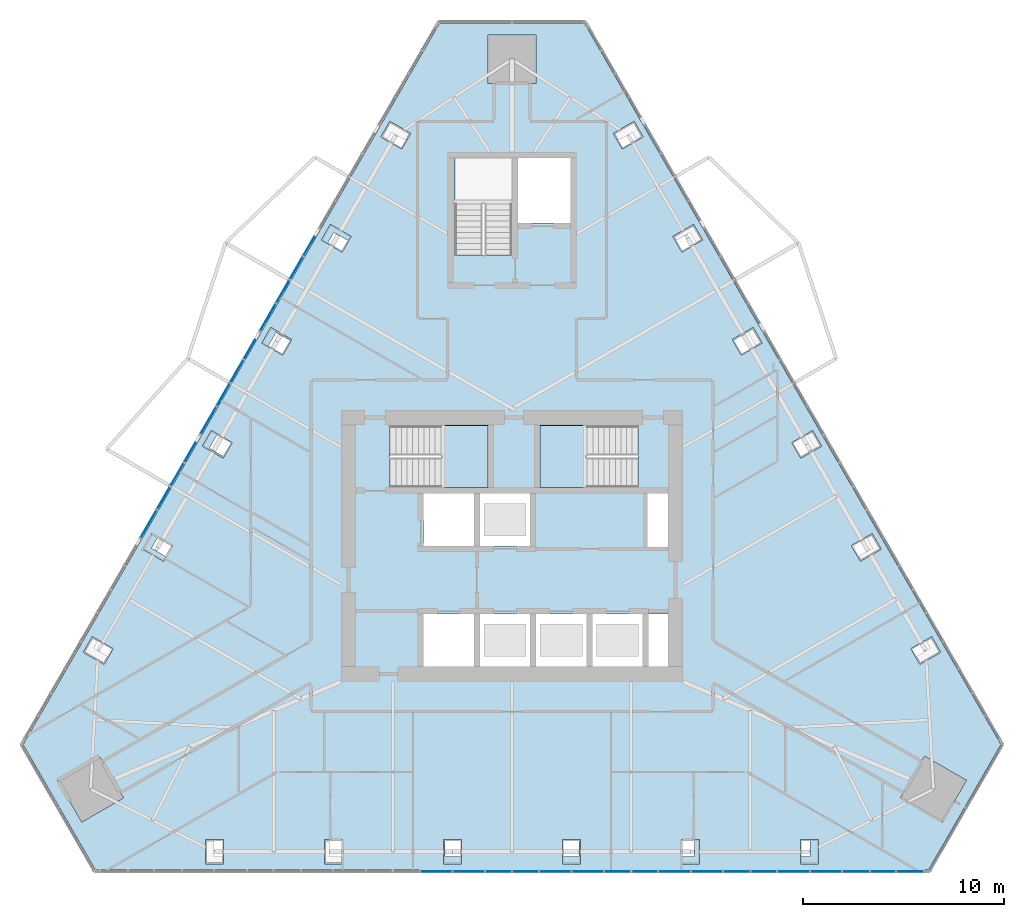
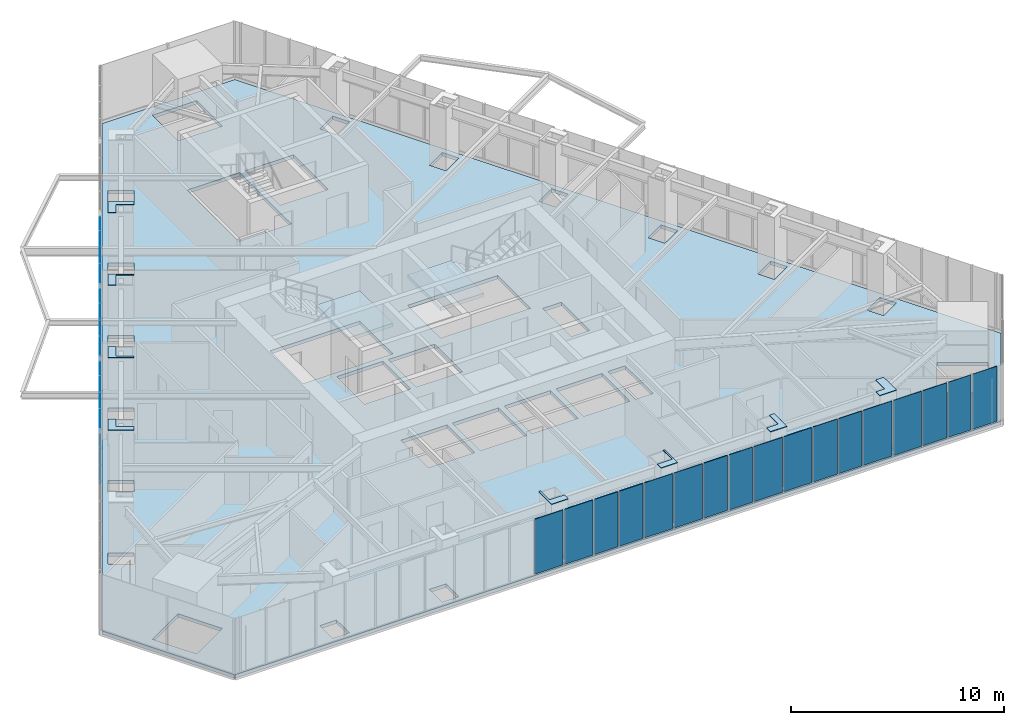
# One storey, part 11 of 19: 37 plates, 3 slabs, 4 elements without a shape of their own.
"""IFC4 building model written with IfcOpenShell, lengths in metres."""

from ifc_helpers import new_model, si_unit, direction, frame, origin, place, context, subcontext, project, spatial, polyline, outline, extrude, material, layer, layer_set, type_object, element, aggregate, save


model = new_model("IFC4")

# Units and contexts
model_context = context("Model", 3, precision=1e-05, world=origin(), true_north=direction((0.0, 1.0)))
body_context = subcontext(model_context, "Body", "Model", "MODEL_VIEW")
ifc_project = project(units=[si_unit("LENGTHUNIT", "METRE"), si_unit("AREAUNIT", "SQUARE_METRE"), si_unit("VOLUMEUNIT", "CUBIC_METRE"), si_unit("PLANEANGLEUNIT", "RADIAN"), si_unit("MASSUNIT", "GRAM", prefix="KILO")], contexts=[model_context])

# Site, building, storey
site_placement = place(None, origin())
site = spatial("IfcSite", under=ifc_project, at=site_placement, CompositionType="ELEMENT")
building_placement = place(site_placement, origin())
building = spatial("IfcBuilding", under=site, at=building_placement, Name="Firuza Gate Tower and Library", CompositionType="ELEMENT")
storey_placement = place(building_placement, frame((0.0, 0.0, 316.10009765625)))
storey = spatial("IfcBuildingStorey", under=building, at=storey_placement, Name="L77", CompositionType="ELEMENT", Elevation=316.10009765625)

# Plates
ifc_material_1 = material(Name="Steel S355", Category="steel")
ifc_layer_1 = layer(ifc_material_1, 0.030029296875)
ifc_layer_set_1 = layer_set([ifc_layer_1], Name="Column infill plate 30 Steel S355")
plate_type_1 = type_object("IfcPlateType", Name="Column infill plate 30 Steel S355", PredefinedType="SHEET", material=ifc_layer_set_1)
placement_1 = place(storey_placement, frame((0.0, 0.0, 3.5)))
element("IfcPlate", 1, at=placement_1, inside=storey, type_object=plate_type_1, Name="Infill plate L77:S3", PredefinedType="SHEET", context=body_context, shape_type="SweptSolid", body=[
    extrude(outline(polyline([(72.489990234375, 59.180419921875), (72.489990234375, 59.5361328125), (71.677978515625, 59.5361328125), (71.677978515625, 60.38037109375), (71.590087890625, 60.38037109375), (71.590087890625, 59.180419921875), (72.489990234375, 59.180419921875)])), origin(), (0.0, 0.0, 1.0), 0.02978515625),
])
element("IfcPlate", 2, at=placement_1, inside=storey, type_object=plate_type_1, Name="Infill plate L77:S4", PredefinedType="SHEET", context=body_context, shape_type="SweptSolid", body=[
    extrude(outline(polyline([(78.409912109375, 60.38037109375), (78.322021484375, 60.38037109375), (78.322021484375, 59.5361328125), (77.510009765625, 59.5361328125), (77.510009765625, 59.180419921875), (78.409912109375, 59.180419921875), (78.409912109375, 60.38037109375)])), origin(), (0.0, 0.0, 1.0), 0.02978515625),
])
element("IfcPlate", 3, at=placement_1, inside=storey, type_object=plate_type_1, Name="Infill plate L77:S5", PredefinedType="SHEET", context=body_context, shape_type="SweptSolid", body=[
    extrude(outline(polyline([(84.330078125, 60.38037109375), (84.06591796875, 60.38037109375), (84.06591796875, 59.5361328125), (83.429931640625, 59.5361328125), (83.429931640625, 59.180419921875), (84.330078125, 59.180419921875), (84.330078125, 60.38037109375)])), origin(), (0.0, 0.0, 1.0), 0.02978515625),
])
element("IfcPlate", 4, at=placement_1, inside=storey, type_object=plate_type_1, Name="Infill plate L77:S6", PredefinedType="SHEET", context=body_context, shape_type="SweptSolid", body=[
    extrude(outline(polyline([(90.25, 60.38037109375), (89.81005859375, 60.38037109375), (89.81005859375, 59.5361328125), (89.35009765625, 59.5361328125), (89.35009765625, 59.180419921875), (90.25, 59.180419921875), (90.25, 60.38037109375)])), origin(), (0.0, 0.0, 1.0), 0.02978515625),
])
element("IfcPlate", 5, at=placement_1, inside=storey, type_object=plate_type_1, Name="Infill plate L77:W2", PredefinedType="SHEET", context=body_context, shape_type="SweptSolid", body=[
    extrude(outline(polyline([(65.514892578125, 90.21044921875), (65.82275390625, 90.032470703125), (66.140869140625, 90.583251953125), (66.8720703125, 90.1611328125), (67.004150390625, 90.389892578125), (65.96484375, 90.98974609375), (65.514892578125, 90.21044921875)])), origin(), (0.0, 0.0, 1.0), 0.02978515625),
])
element("IfcPlate", 6, at=placement_1, inside=storey, type_object=plate_type_1, Name="Infill plate L77:W3", PredefinedType="SHEET", context=body_context, shape_type="SweptSolid", body=[
    extrude(outline(polyline([(62.5546875, 85.08349609375), (62.86279296875, 84.90576171875), (63.268798828125, 85.60888671875), (64.0, 85.186767578125), (64.0439453125, 85.262939453125), (63.0048828125, 85.863037109375), (62.5546875, 85.08349609375)])), origin(), (0.0, 0.0, 1.0), 0.02978515625),
])
element("IfcPlate", 7, at=placement_1, inside=storey, type_object=plate_type_1, Name="Infill plate L77:W4", PredefinedType="SHEET", context=body_context, shape_type="SweptSolid", body=[
    extrude(outline(polyline([(60.634033203125, 79.356689453125), (60.677978515625, 79.432861328125), (59.94677734375, 79.85498046875), (60.352783203125, 80.558349609375), (60.044921875, 80.736083984375), (59.5947265625, 79.95654296875), (60.634033203125, 79.356689453125)])), origin(), (0.0, 0.0, 1.0), 0.02978515625),
])
element("IfcPlate", 8, at=placement_1, inside=storey, type_object=plate_type_1, Name="Infill plate L77:W5", PredefinedType="SHEET", context=body_context, shape_type="SweptSolid", body=[
    extrude(outline(polyline([(57.674072265625, 74.229736328125), (57.80615234375, 74.45849609375), (57.07470703125, 74.880615234375), (57.392822265625, 75.431396484375), (57.084716796875, 75.609130859375), (56.634765625, 74.829833984375), (57.674072265625, 74.229736328125)])), origin(), (0.0, 0.0, 1.0), 0.02978515625),
])

# Slab
ifc_material_2 = material(Name="Concrete C40/50", Category="concrete")
ifc_layer_2 = layer(ifc_material_2, 0.199951171875)
ifc_layer_set_2 = layer_set([ifc_layer_2], Name="Composite floor slab 200 C40/50")
slab_type_1 = type_object("IfcSlabType", Name="Composite floor slab 200 C40/50", PredefinedType="FLOOR", material=ifc_layer_set_2)
slab_1_placement = place(storey_placement, frame((0.0, 0.0, -0.2001953125)))
element("IfcSlab", 9, at=slab_1_placement, inside=storey, type_object=slab_type_1, Name="Floor slab L77", PredefinedType="FLOOR", context=body_context, shape_type="SweptSolid", body=[
    extrude(outline(polyline([(50.679931640625, 65.11572265625), (54.280029296875, 58.88037109375), (95.719970703125, 58.88037109375), (99.320068359375, 65.11572265625), (78.60009765625, 101.00390625), (71.39990234375, 101.00390625), (50.679931640625, 65.11572265625)]), holes=[polyline([(59.75, 59.180419921875), (59.75, 60.38037109375), (60.64990234375, 60.38037109375), (60.64990234375, 59.180419921875), (59.75, 59.180419921875)]), polyline([(65.669921875, 59.180419921875), (65.669921875, 60.38037109375), (66.570068359375, 60.38037109375), (66.570068359375, 59.180419921875), (65.669921875, 59.180419921875)]), polyline([(71.590087890625, 59.180419921875), (71.590087890625, 60.38037109375), (72.489990234375, 60.38037109375), (72.489990234375, 59.180419921875), (71.590087890625, 59.180419921875)]), polyline([(52.399658203125, 63.33740234375), (54.47802734375, 64.537353515625), (55.677978515625, 62.458740234375), (53.599609375, 61.2587890625), (52.399658203125, 63.33740234375)]), polyline([(54.124755859375, 70.482421875), (55.1640625, 69.88232421875), (54.714111328125, 69.10302734375), (53.6748046875, 69.702880859375), (54.124755859375, 70.482421875)]), polyline([(73.10009765625, 69.0), (70.60009765625, 69.0), (70.60009765625, 71.60009765625), (73.10009765625, 71.60009765625), (73.10009765625, 69.0)]), polyline([(75.89990234375, 69.0), (73.39990234375, 69.0), (73.39990234375, 71.60009765625), (75.89990234375, 71.60009765625), (75.89990234375, 69.0)]), polyline([(57.084716796875, 75.609130859375), (58.1240234375, 75.00927734375), (57.674072265625, 74.229736328125), (56.634765625, 74.829833984375), (57.084716796875, 75.609130859375)]), polyline([(73.10009765625, 75.0), (70.60009765625, 75.0), (70.60009765625, 77.60009765625), (73.10009765625, 77.60009765625), (73.10009765625, 75.0)]), polyline([(75.89990234375, 75.0), (73.39990234375, 75.0), (73.39990234375, 77.60009765625), (75.89990234375, 77.60009765625), (75.89990234375, 75.0)]), polyline([(68.9404296875, 77.89990234375), (68.9404296875, 80.97998046875), (73.81005859375, 80.97998046875), (73.81005859375, 77.89990234375), (68.9404296875, 77.89990234375)]), polyline([(60.044921875, 80.736083984375), (61.083984375, 80.135986328125), (60.634033203125, 79.356689453125), (59.5947265625, 79.95654296875), (60.044921875, 80.736083984375)]), polyline([(63.0048828125, 85.863037109375), (64.0439453125, 85.262939453125), (63.593994140625, 84.483642578125), (62.5546875, 85.08349609375), (63.0048828125, 85.863037109375)]), polyline([(65.96484375, 90.98974609375), (67.004150390625, 90.389892578125), (66.553955078125, 89.6103515625), (65.514892578125, 90.21044921875), (65.96484375, 90.98974609375)]), polyline([(72.159912109375, 89.470458984375), (72.159912109375, 94.300048828125), (75.0, 94.300048828125), (75.0, 89.470458984375), (72.159912109375, 89.470458984375)]), polyline([(68.9248046875, 96.11669921875), (69.964111328125, 95.5166015625), (69.513916015625, 94.7373046875), (68.474853515625, 95.337158203125), (68.9248046875, 96.11669921875)]), polyline([(76.199951171875, 100.40380859375), (76.199951171875, 98.00390625), (73.800048828125, 98.00390625), (73.800048828125, 100.40380859375), (76.199951171875, 100.40380859375)]), polyline([(77.510009765625, 59.180419921875), (77.510009765625, 60.38037109375), (78.409912109375, 60.38037109375), (78.409912109375, 59.180419921875), (77.510009765625, 59.180419921875)]), polyline([(83.429931640625, 59.180419921875), (83.429931640625, 60.38037109375), (84.330078125, 60.38037109375), (84.330078125, 59.180419921875), (83.429931640625, 59.180419921875)]), polyline([(89.35009765625, 59.180419921875), (89.35009765625, 60.38037109375), (90.25, 60.38037109375), (90.25, 59.180419921875), (89.35009765625, 59.180419921875)]), polyline([(96.400390625, 61.2587890625), (94.322021484375, 62.458740234375), (95.52197265625, 64.537353515625), (97.600341796875, 63.33740234375), (96.400390625, 61.2587890625)]), polyline([(96.3251953125, 69.702880859375), (95.285888671875, 69.10302734375), (94.8359375, 69.88232421875), (95.875244140625, 70.482421875), (96.3251953125, 69.702880859375)]), polyline([(78.699951171875, 69.0), (76.199951171875, 69.0), (76.199951171875, 71.60009765625), (78.699951171875, 71.60009765625), (78.699951171875, 69.0)]), polyline([(81.5, 69.0), (79.0, 69.0), (79.0, 71.60009765625), (81.5, 71.60009765625), (81.5, 69.0)]), polyline([(82.75, 69.0), (81.800048828125, 69.0), (81.800048828125, 71.60009765625), (82.75, 71.60009765625), (82.75, 69.0)]), polyline([(93.365234375, 74.829833984375), (92.325927734375, 74.229736328125), (91.8759765625, 75.00927734375), (92.915283203125, 75.609130859375), (93.365234375, 74.829833984375)]), polyline([(82.75, 74.949951171875), (81.75, 74.949951171875), (81.75, 77.60009765625), (82.75, 77.60009765625), (82.75, 74.949951171875)]), polyline([(81.259521484375, 80.97998046875), (81.259521484375, 77.89990234375), (76.389892578125, 77.89990234375), (76.389892578125, 80.97998046875), (81.259521484375, 80.97998046875)]), polyline([(90.4052734375, 79.95654296875), (89.365966796875, 79.356689453125), (88.916015625, 80.135986328125), (89.955078125, 80.736083984375), (90.4052734375, 79.95654296875)]), polyline([(87.4453125, 85.08349609375), (86.406005859375, 84.483642578125), (85.9560546875, 85.262939453125), (86.9951171875, 85.863037109375), (87.4453125, 85.08349609375)]), polyline([(84.485107421875, 90.21044921875), (83.446044921875, 89.6103515625), (82.995849609375, 90.389892578125), (84.03515625, 90.98974609375), (84.485107421875, 90.21044921875)]), polyline([(75.300048828125, 91.050048828125), (75.300048828125, 94.300048828125), (77.89990234375, 94.300048828125), (77.89990234375, 91.050048828125), (75.300048828125, 91.050048828125)]), polyline([(80.486083984375, 94.7373046875), (80.035888671875, 95.5166015625), (81.0751953125, 96.11669921875), (81.525146484375, 95.337158203125), (80.486083984375, 94.7373046875)])]), origin(), (0.0, 0.0, 1.0), 0.2001953125),
])

# Curtain wall, plates
ifc_material_3 = material(Name="Aluminium 6063-T6", Category="aluminium")
ifc_layer_3 = layer(ifc_material_3, 0.14990234375)
ifc_layer_set_3 = layer_set([ifc_layer_3], Name="Unitised curtain wall, residences")
curtain_wall_type = type_object("IfcCurtainWallType", Name="Unitised curtain wall, residences", PredefinedType="NOTDEFINED", material=ifc_layer_set_3)
placement_2 = place(storey_placement, origin())
curtain_wall_1 = element("IfcCurtainWall", 10, at=placement_2, inside=storey, type_object=curtain_wall_type, Name="CW3 L77 S face", PredefinedType="NOTDEFINED")
ifc_material_4 = material(Name="Fritted glass", Category="glass")
ifc_layer_4 = layer(ifc_material_4, 0.030029296875)
ifc_layer_set_4 = layer_set([ifc_layer_4], Name="Fritted glass unit, residences")
plate_type_2 = type_object("IfcPlateType", Name="Fritted glass unit, residences", PredefinedType="CURTAIN_PANEL", material=ifc_layer_set_4)
plate_9_placement = place(storey_placement, frame((70.468994140625, 58.790283203125, 0.14990234375), z_axis=(0.0, -1.0, 0.0), x_axis=(1.0, 0.0, 0.0)))
plate_9 = element("IfcPlate", 11, at=plate_9_placement, type_object=plate_type_2, Name="Glass unit", PredefinedType="CURTAIN_PANEL", context=body_context, shape_type="SweptSolid", body=[
    extrude(outline(polyline([(0.0, 0.0), (1.52490234375, 0.0), (1.52490234375, 3.14990234375), (0.0, 3.14990234375), (0.0, 0.0)])), origin(), (0.0, 0.0, -1.0), 0.030029296875),
])
plate_10_placement = place(storey_placement, frame((72.07373046875, 58.790283203125, 0.14990234375), z_axis=(0.0, -1.0, 0.0), x_axis=(1.0, 0.0, 0.0)))
plate_10 = element("IfcPlate", 12, at=plate_10_placement, type_object=plate_type_2, Name="Glass unit", PredefinedType="CURTAIN_PANEL", context=body_context, shape_type="SweptSolid", body=[
    extrude(outline(polyline([(0.0, 0.0), (1.537353515625, 0.0), (1.537353515625, 3.14990234375), (0.0, 3.14990234375), (0.0, 0.0)])), origin(), (0.0, 0.0, -1.0), 0.030029296875),
])
plate_11_placement = place(storey_placement, frame((76.388916015625, 58.790283203125, 0.14990234375), z_axis=(0.0, -1.0, 0.0), x_axis=(1.0, 0.0, 0.0)))
plate_11 = element("IfcPlate", 13, at=plate_11_placement, type_object=plate_type_2, Name="Glass unit", PredefinedType="CURTAIN_PANEL", context=body_context, shape_type="SweptSolid", body=[
    extrude(outline(polyline([(0.0, 0.0), (1.537353515625, 0.0), (1.537353515625, 3.14990234375), (0.0, 3.14990234375), (0.0, 0.0)])), origin(), (0.0, 0.0, -1.0), 0.030029296875),
])
plate_12_placement = place(storey_placement, frame((78.006103515625, 58.790283203125, 0.14990234375), z_axis=(0.0, -1.0, 0.0), x_axis=(1.0, 0.0, 0.0)))
plate_12 = element("IfcPlate", 14, at=plate_12_placement, type_object=plate_type_2, Name="Glass unit", PredefinedType="CURTAIN_PANEL", context=body_context, shape_type="SweptSolid", body=[
    extrude(outline(polyline([(0.0, 0.0), (1.52490234375, 0.0), (1.52490234375, 3.14990234375), (0.0, 3.14990234375), (0.0, 0.0)])), origin(), (0.0, 0.0, -1.0), 0.030029296875),
])
plate_13_placement = place(storey_placement, frame((82.308837890625, 58.790283203125, 0.14990234375), z_axis=(0.0, -1.0, 0.0), x_axis=(1.0, 0.0, 0.0)))
plate_13 = element("IfcPlate", 15, at=plate_13_placement, type_object=plate_type_2, Name="Glass unit", PredefinedType="CURTAIN_PANEL", context=body_context, shape_type="SweptSolid", body=[
    extrude(outline(polyline([(0.0, 0.0), (1.5498046875, 0.0), (1.5498046875, 3.14990234375), (0.0, 3.14990234375), (0.0, 0.0)])), origin(), (0.0, 0.0, -1.0), 0.030029296875),
])
plate_14_placement = place(storey_placement, frame((83.9384765625, 58.790283203125, 0.14990234375), z_axis=(0.0, -1.0, 0.0), x_axis=(1.0, 0.0, 0.0)))
plate_14 = element("IfcPlate", 16, at=plate_14_placement, type_object=plate_type_2, Name="Glass unit", PredefinedType="CURTAIN_PANEL", context=body_context, shape_type="SweptSolid", body=[
    extrude(outline(polyline([(0.0, 0.0), (1.5126953125, 0.0), (1.5126953125, 3.14990234375), (0.0, 3.14990234375), (0.0, 0.0)])), origin(), (0.0, 0.0, -1.0), 0.030029296875),
])
plate_15_placement = place(storey_placement, frame((88.22900390625, 58.790283203125, 0.14990234375), z_axis=(0.0, -1.0, 0.0), x_axis=(1.0, 0.0, 0.0)))
plate_15 = element("IfcPlate", 17, at=plate_15_placement, type_object=plate_type_2, Name="Glass unit", PredefinedType="CURTAIN_PANEL", context=body_context, shape_type="SweptSolid", body=[
    extrude(outline(polyline([(0.0, 0.0), (1.56201171875, 0.0), (1.56201171875, 3.14990234375), (0.0, 3.14990234375), (0.0, 0.0)])), origin(), (0.0, 0.0, -1.0), 0.030029296875),
])
plate_16_placement = place(storey_placement, frame((89.870849609375, 58.790283203125, 0.14990234375), z_axis=(0.0, -1.0, 0.0), x_axis=(1.0, 0.0, 0.0)))
plate_16 = element("IfcPlate", 18, at=plate_16_placement, type_object=plate_type_2, Name="Glass unit", PredefinedType="CURTAIN_PANEL", context=body_context, shape_type="SweptSolid", body=[
    extrude(outline(polyline([(0.0, 0.0), (1.500244140625, 0.0), (1.500244140625, 3.14990234375), (0.0, 3.14990234375), (0.0, 0.0)])), origin(), (0.0, 0.0, -1.0), 0.030029296875),
])
plate_17_placement = place(storey_placement, frame((94.14892578125, 58.790283203125, 0.14990234375), z_axis=(0.0, -1.0, 0.0), x_axis=(1.0, 0.0, 0.0)))
plate_17 = element("IfcPlate", 19, at=plate_17_placement, type_object=plate_type_2, Name="Glass unit", PredefinedType="CURTAIN_PANEL", context=body_context, shape_type="SweptSolid", body=[
    extrude(outline(polyline([(0.0, 0.0), (1.308349609375, 0.0), (1.308349609375, 3.14990234375), (0.0, 3.14990234375), (0.0, 0.0)])), origin(), (0.0, 0.0, -1.0), 0.030029296875),
])

curtain_wall_2 = element("IfcCurtainWall", 20, at=placement_2, inside=storey, type_object=curtain_wall_type, Name="CW3 L77 W face", PredefinedType="NOTDEFINED")
plate_18_placement = place(storey_placement, frame((65.158447265625, 90.373291015625, 0.14990234375), z_axis=(-0.866016800201, 0.500014901547, 0.0), x_axis=(-0.500014901547, -0.866016800201, 0.0)))
plate_18 = element("IfcPlate", 21, at=plate_18_placement, type_object=plate_type_2, Name="Glass unit", PredefinedType="CURTAIN_PANEL", context=body_context, shape_type="SweptSolid", body=[
    extrude(outline(polyline([(0.0, 0.0), (1.0839520698751075, 0.0), (1.0839520698751075, 3.14990234375), (0.0, 3.14990234375), (0.0, 0.0)])), origin(), (0.0, 0.0, -1.0), 0.030029296875),
])
plate_19_placement = place(storey_placement, frame((63.2275390625, 87.02880859375, 0.14990234375), z_axis=(-0.866017611601, 0.500013496215, 0.0), x_axis=(-0.500013496215, -0.866017611601, 0.0)))
plate_19 = element("IfcPlate", 22, at=plate_19_placement, type_object=plate_type_2, Name="Glass unit", PredefinedType="CURTAIN_PANEL", context=body_context, shape_type="SweptSolid", body=[
    extrude(outline(polyline([(0.0, 0.0), (1.5248611840401556, 0.0), (1.5248611840401556, 3.1499023437499996), (0.0, 3.1499023437499996), (0.0, 0.0)])), origin(), (0.0, 0.0, -1.0), 0.030029296875),
])
plate_20_placement = place(storey_placement, frame((62.198486328125, 85.24658203125, 0.14990234375), z_axis=(-0.86607309507, 0.49991738717, 0.0), x_axis=(-0.49991738717, -0.86607309507, 0.0)))
plate_20 = element("IfcPlate", 23, at=plate_20_placement, type_object=plate_type_2, Name="Glass unit", PredefinedType="CURTAIN_PANEL", context=body_context, shape_type="SweptSolid", body=[
    extrude(outline(polyline([(0.0, 0.0), (1.0841635066305715, 0.0), (1.0841635066305715, 3.14990234375), (0.0, 3.14990234375), (0.0, 0.0)])), origin(), (0.0, 0.0, -1.0), 0.030029296875),
])
plate_21_placement = place(storey_placement, frame((60.267578125, 81.902099609375, 0.14990234375), z_axis=(-0.866085108007, 0.499896574992, 0.0), x_axis=(-0.499896574992, -0.866085108007, 0.0)))
plate_21 = element("IfcPlate", 24, at=plate_21_placement, type_object=plate_type_2, Name="Glass unit", PredefinedType="CURTAIN_PANEL", context=body_context, shape_type="SweptSolid", body=[
    extrude(outline(polyline([(0.0, 0.0), (1.537427391880926, 0.0), (1.537427391880926, 3.149902343750001), (0.0, 3.149902343750001), (0.0, 0.0)])), origin(), (0.0, 0.0, -1.0), 0.030029296875),
])
plate_22_placement = place(storey_placement, frame((59.238525390625, 80.11962890625, 0.14990234375), z_axis=(-0.86607309507, 0.49991738717, 0.0), x_axis=(-0.49991738717, -0.86607309507, 0.0)))
plate_22 = element("IfcPlate", 25, at=plate_22_placement, type_object=plate_type_2, Name="Glass unit", PredefinedType="CURTAIN_PANEL", context=body_context, shape_type="SweptSolid", body=[
    extrude(outline(polyline([(0.0, 0.0), (1.0841635066305715, 0.0), (1.0841635066305715, 3.14990234375), (0.0, 3.14990234375), (0.0, 0.0)])), origin(), (0.0, 0.0, -1.0), 0.030029296875),
])
plate_23_placement = place(storey_placement, frame((57.3076171875, 76.775146484375, 0.14990234375), z_axis=(-0.866004557827, 0.500036104519, 0.0), x_axis=(-0.500036104519, -0.866004557827, 0.0)))
plate_23 = element("IfcPlate", 26, at=plate_23_placement, type_object=plate_type_2, Name="Glass unit", PredefinedType="CURTAIN_PANEL", context=body_context, shape_type="SweptSolid", body=[
    extrude(outline(polyline([(0.0, 0.0), (1.5496927856736717, 0.0), (1.5496927856736717, 3.14990234375), (0.0, 3.14990234375), (0.0, 0.0)])), origin(), (0.0, 0.0, -1.0), 0.030029296875),
])

# Plate
ifc_material_5 = material(Name="Glazed ceramic tile")
ifc_layer_5 = layer(ifc_material_5, 0.030029296875)
ifc_layer_set_5 = layer_set([ifc_layer_5], Name="Opaque ceramic panel, residences")
plate_type_3 = type_object("IfcPlateType", Name="Opaque ceramic panel, residences", PredefinedType="CURTAIN_PANEL", material=ifc_layer_set_5)
plate_24_placement = place(storey_placement, frame((73.691162109375, 58.790283203125, 0.14990234375), z_axis=(0.0, -1.0, 0.0), x_axis=(1.0, 0.0, 0.0)))
plate_24 = element("IfcPlate", 27, at=plate_24_placement, type_object=plate_type_3, Name="Opaque ceramic panel", PredefinedType="CURTAIN_PANEL", context=body_context, shape_type="SweptSolid", body=[
    extrude(outline(polyline([(0.0, 0.0), (1.268798828125, 0.0), (1.268798828125, 3.14990234375), (0.0, 3.14990234375), (0.0, 0.0)])), origin(), (0.0, 0.0, -1.0), 0.030029296875),
])

plate_25_placement = place(storey_placement, frame((75.0400390625, 58.790283203125, 0.14990234375), z_axis=(0.0, -1.0, 0.0), x_axis=(1.0, 0.0, 0.0)))
plate_25 = element("IfcPlate", 28, at=plate_25_placement, type_object=plate_type_3, Name="Opaque ceramic panel", PredefinedType="CURTAIN_PANEL", context=body_context, shape_type="SweptSolid", body=[
    extrude(outline(polyline([(0.0, 0.0), (1.268798828125, 0.0), (1.268798828125, 3.14990234375), (0.0, 3.14990234375), (0.0, 0.0)])), origin(), (0.0, 0.0, -1.0), 0.030029296875),
])

plate_26_placement = place(storey_placement, frame((79.611083984375, 58.790283203125, 0.14990234375), z_axis=(0.0, -1.0, 0.0), x_axis=(1.0, 0.0, 0.0)))
plate_26 = element("IfcPlate", 29, at=plate_26_placement, type_object=plate_type_3, Name="Opaque ceramic panel", PredefinedType="CURTAIN_PANEL", context=body_context, shape_type="SweptSolid", body=[
    extrude(outline(polyline([(0.0, 0.0), (1.28125, 0.0), (1.28125, 3.14990234375), (0.0, 3.14990234375), (0.0, 0.0)])), origin(), (0.0, 0.0, -1.0), 0.030029296875),
])

plate_27_placement = place(storey_placement, frame((80.972412109375, 58.790283203125, 0.14990234375), z_axis=(0.0, -1.0, 0.0), x_axis=(1.0, 0.0, 0.0)))
plate_27 = element("IfcPlate", 30, at=plate_27_placement, type_object=plate_type_3, Name="Opaque ceramic panel", PredefinedType="CURTAIN_PANEL", context=body_context, shape_type="SweptSolid", body=[
    extrude(outline(polyline([(0.0, 0.0), (1.256591796875, 0.0), (1.256591796875, 3.14990234375), (0.0, 3.14990234375), (0.0, 0.0)])), origin(), (0.0, 0.0, -1.0), 0.030029296875),
])

plate_28_placement = place(storey_placement, frame((85.531005859375, 58.790283203125, 0.14990234375), z_axis=(0.0, -1.0, 0.0), x_axis=(1.0, 0.0, 0.0)))
plate_28 = element("IfcPlate", 31, at=plate_28_placement, type_object=plate_type_3, Name="Opaque ceramic panel", PredefinedType="CURTAIN_PANEL", context=body_context, shape_type="SweptSolid", body=[
    extrude(outline(polyline([(0.0, 0.0), (1.293701171875, 0.0), (1.293701171875, 3.14990234375), (0.0, 3.14990234375), (0.0, 0.0)])), origin(), (0.0, 0.0, -1.0), 0.030029296875),
])

plate_29_placement = place(storey_placement, frame((86.90478515625, 58.790283203125, 0.14990234375), z_axis=(0.0, -1.0, 0.0), x_axis=(1.0, 0.0, 0.0)))
plate_29 = element("IfcPlate", 32, at=plate_29_placement, type_object=plate_type_3, Name="Opaque ceramic panel", PredefinedType="CURTAIN_PANEL", context=body_context, shape_type="SweptSolid", body=[
    extrude(outline(polyline([(0.0, 0.0), (1.244140625, 0.0), (1.244140625, 3.14990234375), (0.0, 3.14990234375), (0.0, 0.0)])), origin(), (0.0, 0.0, -1.0), 0.030029296875),
])

plate_30_placement = place(storey_placement, frame((91.451171875, 58.790283203125, 0.14990234375), z_axis=(0.0, -1.0, 0.0), x_axis=(1.0, 0.0, 0.0)))
plate_30 = element("IfcPlate", 33, at=plate_30_placement, type_object=plate_type_3, Name="Opaque ceramic panel", PredefinedType="CURTAIN_PANEL", context=body_context, shape_type="SweptSolid", body=[
    extrude(outline(polyline([(0.0, 0.0), (1.305908203125, 0.0), (1.305908203125, 3.14990234375), (0.0, 3.14990234375), (0.0, 0.0)])), origin(), (0.0, 0.0, -1.0), 0.030029296875),
])

plate_31_placement = place(storey_placement, frame((92.837158203125, 58.790283203125, 0.14990234375), z_axis=(0.0, -1.0, 0.0), x_axis=(1.0, 0.0, 0.0)))
plate_31 = element("IfcPlate", 34, at=plate_31_placement, type_object=plate_type_3, Name="Opaque ceramic panel", PredefinedType="CURTAIN_PANEL", context=body_context, shape_type="SweptSolid", body=[
    extrude(outline(polyline([(0.0, 0.0), (1.231689453125, 0.0), (1.231689453125, 3.14990234375), (0.0, 3.14990234375), (0.0, 0.0)])), origin(), (0.0, 0.0, -1.0), 0.030029296875),
])

aggregate(curtain_wall_1, [plate_9, plate_10, plate_24, plate_25, plate_11, plate_12, plate_26, plate_27, plate_13, plate_14, plate_28, plate_29, plate_15, plate_16, plate_30, plate_31, plate_17])

plate_32_placement = place(storey_placement, frame((64.576416015625, 89.365234375, 0.14990234375), z_axis=(-0.866046450459, 0.499963544319, 0.0), x_axis=(-0.499963544319, -0.866046450459, 0.0)))
plate_32 = element("IfcPlate", 35, at=plate_32_placement, type_object=plate_type_3, Name="Opaque ceramic panel", PredefinedType="CURTAIN_PANEL", context=body_context, shape_type="SweptSolid", body=[
    extrude(outline(polyline([(0.0, 0.0), (1.2564392649479683, 0.0), (1.2564392649479683, 3.14990234375), (0.0, 3.14990234375), (0.0, 0.0)])), origin(), (0.0, 0.0, -1.0), 0.030029296875),
])

plate_33_placement = place(storey_placement, frame((63.908203125, 88.207763671875, 0.14990234375), z_axis=(-0.866030104553, 0.499991857942, 0.0), x_axis=(-0.499991857942, -0.866030104553, 0.0)))
plate_33 = element("IfcPlate", 36, at=plate_33_placement, type_object=plate_type_3, Name="Opaque ceramic panel", PredefinedType="CURTAIN_PANEL", context=body_context, shape_type="SweptSolid", body=[
    extrude(outline(polyline([(0.0, 0.0), (1.2812708643633335, 0.0), (1.2812708643633335, 3.14990234375), (0.0, 3.14990234375), (0.0, 0.0)])), origin(), (0.0, 0.0, -1.0), 0.030029296875),
])

plate_34_placement = place(storey_placement, frame((61.616455078125, 84.23828125, 0.14990234375), z_axis=(-0.86607985344, 0.499905678569, 0.0), x_axis=(-0.499905678569, -0.86607985344, 0.0)))
plate_34 = element("IfcPlate", 37, at=plate_34_placement, type_object=plate_type_3, Name="Opaque ceramic panel", PredefinedType="CURTAIN_PANEL", context=body_context, shape_type="SweptSolid", body=[
    extrude(outline(polyline([(0.0, 0.0), (1.2687940364392636, 0.0), (1.2687940364392636, 3.14990234375), (0.0, 3.14990234375), (0.0, 0.0)])), origin(), (0.0, 0.0, -1.0), 0.030029296875),
])

plate_35_placement = place(storey_placement, frame((60.942138671875, 83.070068359375, 0.14990234375), z_axis=(-0.865996539853, 0.500049990464, 0.0), x_axis=(-0.500049990464, -0.865996539853, 0.0)))
plate_35 = element("IfcPlate", 38, at=plate_35_placement, type_object=plate_type_3, Name="Opaque ceramic panel", PredefinedType="CURTAIN_PANEL", context=body_context, shape_type="SweptSolid", body=[
    extrude(outline(polyline([(0.0, 0.0), (1.2689161013411159, 0.0), (1.2689161013411159, 3.14990234375), (0.0, 3.14990234375), (0.0, 0.0)])), origin(), (0.0, 0.0, -1.0), 0.030029296875),
])

plate_36_placement = place(storey_placement, frame((58.656494140625, 79.111572265625, 0.14990234375), z_axis=(-0.866030104553, 0.499991857942, 0.0), x_axis=(-0.499991857942, -0.866030104553, 0.0)))
plate_36 = element("IfcPlate", 39, at=plate_36_placement, type_object=plate_type_3, Name="Opaque ceramic panel", PredefinedType="CURTAIN_PANEL", context=body_context, shape_type="SweptSolid", body=[
    extrude(outline(polyline([(0.0, 0.0), (1.2812708643633335, 0.0), (1.2812708643633335, 3.14990234375), (0.0, 3.14990234375), (0.0, 0.0)])), origin(), (0.0, 0.0, -1.0), 0.030029296875),
])

plate_37_placement = place(storey_placement, frame((57.975830078125, 77.9326171875, 0.14990234375), z_axis=(-0.866046450459, 0.499963544319, 0.0), x_axis=(-0.499963544319, -0.866046450459, 0.0)))
plate_37 = element("IfcPlate", 40, at=plate_37_placement, type_object=plate_type_3, Name="Opaque ceramic panel", PredefinedType="CURTAIN_PANEL", context=body_context, shape_type="SweptSolid", body=[
    extrude(outline(polyline([(0.0, 0.0), (1.2564392649479683, 0.0), (1.2564392649479683, 3.14990234375), (0.0, 3.14990234375), (0.0, 0.0)])), origin(), (0.0, 0.0, -1.0), 0.030029296875),
])

aggregate(curtain_wall_2, [plate_18, plate_32, plate_33, plate_19, plate_20, plate_34, plate_35, plate_21, plate_22, plate_36, plate_37, plate_23])

# Stair, slab
ifc_material_6 = material(Name="Concrete C35/45", Category="concrete")
stair_type = type_object("IfcStairType", Name="Exit stair ST8", PredefinedType="HALF_TURN_STAIR", material=ifc_material_6)
stair_1 = element("IfcStair", 41, at=placement_2, inside=storey, type_object=stair_type, Name="L77 Stair ST1", PredefinedType="HALF_TURN_STAIR")
ifc_material_7 = material(Name="Concrete C35/45", Category="concrete")
ifc_layer_6 = layer(ifc_material_7, 0.199951171875)
ifc_layer_set_6 = layer_set([ifc_layer_6], Name="Stair landing 200")
slab_type_2 = type_object("IfcSlabType", Name="Stair landing 200", PredefinedType="LANDING", material=ifc_layer_set_6)
placement_3 = place(storey_placement, frame((0.0, 0.0, 1.5498046875)))
slab_2 = element("IfcSlab", 42, at=placement_3, type_object=slab_type_2, Name="ST1 landing 1", PredefinedType="LANDING", context=body_context, shape_type="SweptSolid", body=[
    extrude(outline(polyline([(71.4599609375, 77.89990234375), (73.81005859375, 77.89990234375), (73.81005859375, 80.97998046875), (71.4599609375, 80.97998046875), (71.4599609375, 77.89990234375)])), origin(), (0.0, 0.0, 1.0), 0.2001953125),
])
aggregate(stair_1, [slab_2])

stair_2 = element("IfcStair", 43, at=placement_2, inside=storey, type_object=stair_type, Name="L77 Stair ST2", PredefinedType="HALF_TURN_STAIR")
slab_3 = element("IfcSlab", 44, at=placement_3, type_object=slab_type_2, Name="ST2 landing 1", PredefinedType="LANDING", context=body_context, shape_type="SweptSolid", body=[
    extrude(outline(polyline([(78.739990234375, 80.97998046875), (76.389892578125, 80.97998046875), (76.389892578125, 77.89990234375), (78.739990234375, 77.89990234375), (78.739990234375, 80.97998046875)])), origin(), (0.0, 0.0, 1.0), 0.2001953125),
])
aggregate(stair_2, [slab_3])

save(model, "model.ifc")
